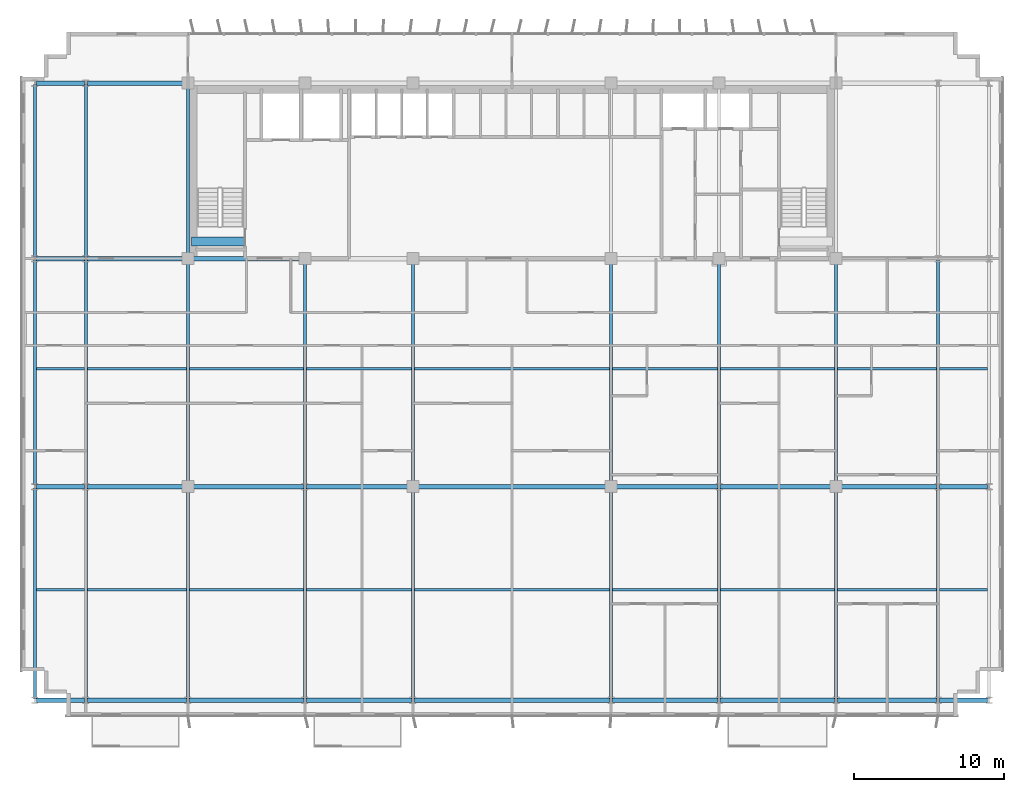
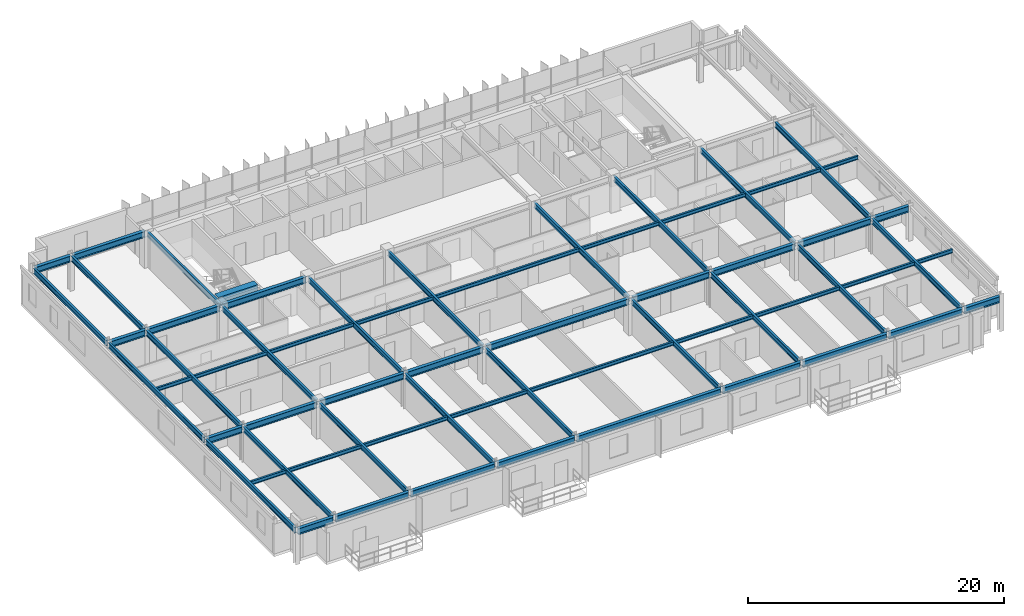
# One storey, part 4 of 21: 63 beams.
"""IFC4 building model written with IfcOpenShell, lengths in metres."""

from ifc_helpers import new_model, si_unit, direction, frame, origin, origin_2d, place, context, subcontext, project, spatial, rectangle, i_section, extrude, source, transform, mapped, material, material_profile, profile_set, type_object, element, save


model = new_model("IFC4")

# Units and contexts
model_context = context("Model", 3, precision=1e-05, world=origin(), true_north=direction((0.0, 1.0)))
body_context = subcontext(model_context, "Body", "Model", "MODEL_VIEW")
ifc_project = project(units=[si_unit("LENGTHUNIT", "METRE"), si_unit("AREAUNIT", "SQUARE_METRE"), si_unit("VOLUMEUNIT", "CUBIC_METRE"), si_unit("PLANEANGLEUNIT", "RADIAN"), si_unit("MASSUNIT", "GRAM", prefix="KILO")], contexts=[model_context])

# Site, building, storey
site_placement = place(None, origin())
site = spatial("IfcSite", under=ifc_project, at=site_placement, CompositionType="ELEMENT")
building_placement = place(site_placement, origin())
building = spatial("IfcBuilding", under=site, at=building_placement, Name="Trelvane Seafront Commons", CompositionType="ELEMENT")
storey_placement = place(building_placement, frame((0.0, 0.0, 103.300048828125)))
storey = spatial("IfcBuildingStorey", under=building, at=storey_placement, Name="L26", CompositionType="ELEMENT", Elevation=103.300048828125)

# Beams
ifc_material_1 = material(Name="Concrete C60/75", Category="concrete")
ifc_material_profile_1 = material_profile(ifc_material_1, rectangle(XDim=0.60009765625, YDim=0.89990234375, at=origin_2d()), Name="RC-600x900")
ifc_profile_set_1 = profile_set([ifc_material_profile_1], Name="Concrete C60/75")
beam_type_1 = type_object("IfcBeamType", Name="STR-LNT-RC600x900", PredefinedType="LINTEL", material=ifc_profile_set_1)
shared_shape_1 = source(origin(), body_context, "Body", "SweptSolid", [
    extrude(rectangle(XDim=0.60009765625, YDim=0.89990234375, at=origin_2d()), origin(), (0.0, 0.0, 1.0), 3.5498046875),
])
beam_1_placement = place(storey_placement, frame((15.85009765625, 34.550048828125, 2.889892578125), z_axis=(1.0, 0.0, 0.0), x_axis=(0.0, 1.0, 0.0)))
element("IfcBeam", 1, at=beam_1_placement, inside=storey, type_object=beam_type_1, Name="L26 Core Coupling Lintel Beam CB-85", PredefinedType="LINTEL", context=body_context, shape_type="MappedRepresentation", body=[
    mapped(shared_shape_1, transform((0.0, 0.0, 0.0), x_axis=(1.0, 0.0, 0.0), y_axis=(0.0, 1.0, 0.0), z_axis=(0.0, 0.0, 1.0), scale=1.0)),
])
ifc_material_2 = material(Name="Steel SM355 (S355)", Category="steel")
ifc_material_profile_2 = material_profile(ifc_material_2, i_section(OverallWidth=0.300048828125, OverallDepth=0.587890625, WebThickness=0.011962890625, FlangeThickness=0.02001953125, at=origin_2d()), Name="H-588x300x12x20")
ifc_profile_set_2 = profile_set([ifc_material_profile_2], Name="Steel SM355 (S355)")
beam_type_2 = type_object("IfcBeamType", Name="STR-BM-H588", PredefinedType="BEAM", material=ifc_profile_set_2)
shared_shape_2 = source(origin(), body_context, "Body", "SweptSolid", [
    extrude(i_section(OverallWidth=0.300048828125, OverallDepth=0.587890625, WebThickness=0.011962890625, FlangeThickness=0.02001953125, at=origin_2d()), origin(), (0.0, 0.0, 1.0), 7.550048828125),
])
beam_2_placement = place(storey_placement, frame((15.75, 18.199951171875, 3.0458984375), z_axis=(1.0, 0.0, 0.0), x_axis=(0.0, 1.0, 0.0)))
element("IfcBeam", 2, at=beam_2_placement, inside=storey, type_object=beam_type_2, Name="L26 Primary Girder G-12", PredefinedType="BEAM", context=body_context, shape_type="MappedRepresentation", body=[
    mapped(shared_shape_2, transform((0.0, 0.0, 0.0), x_axis=(1.0, 0.0, 0.0), y_axis=(0.0, 1.0, 0.0), z_axis=(0.0, 0.0, 1.0), scale=1.0)),
])
shared_shape_3 = source(origin(), body_context, "Body", "SweptSolid", [
    extrude(i_section(OverallWidth=0.300048828125, OverallDepth=0.587890625, WebThickness=0.011962890625, FlangeThickness=0.02001953125, at=origin_2d()), origin(), (0.0, 0.0, 1.0), 3.199951171875),
])
for number, where, z_axis, x_axis, name in (
    (3, (5.5, 3.949951171875, 3.0458984375), (1.0, 0.0, 0.0), (0.0, 1.0, 0.0), "L26 Primary Girder G-01"),
    (4, (65.699951171875, 3.949951171875, 3.0458984375), (1.0, 0.0, 0.0), (0.0, 1.0, 0.0), "L26 Primary Girder G-09"),
    (5, (5.5, 18.199951171875, 3.0458984375), (1.0, 0.0, 0.0), (0.0, 1.0, 0.0), "L26 Primary Girder G-10"),
    (6, (65.699951171875, 18.199951171875, 3.0458984375), (1.0, 0.0, 0.0), (0.0, 1.0, 0.0), "L26 Primary Girder G-18"),
    (7, (5.5, 33.39990234375, 3.0458984375), (1.0, 0.0, 0.0), (0.0, 1.0, 0.0), "L26 Primary Girder G-19"),
    (8, (5.5, 45.10009765625, 3.0458984375), (1.0, 0.0, 0.0), (0.0, 1.0, 0.0), "L26 Primary Girder G-28"),
):
    element("IfcBeam", number, at=place(storey_placement, frame(where, z_axis=z_axis, x_axis=x_axis)), inside=storey, type_object=beam_type_2, Name=name, PredefinedType="BEAM", context=body_context, shape_type="MappedRepresentation", body=[
        mapped(shared_shape_3, transform((0.0, 0.0, 0.0), x_axis=(1.0, 0.0, 0.0), y_axis=(0.0, 1.0, 0.0), z_axis=(0.0, 0.0, 1.0), scale=1.0)),
    ])
shared_shape_4 = source(origin(), body_context, "Body", "SweptSolid", [
    extrude(i_section(OverallWidth=0.300048828125, OverallDepth=0.587890625, WebThickness=0.011962890625, FlangeThickness=0.02001953125, at=origin_2d()), origin(), (0.0, 0.0, 1.0), 6.60009765625),
])
for number, where, z_axis, x_axis, name in (
    (9, (8.89990234375, 3.949951171875, 3.0458984375), (1.0, 0.0, 0.0), (0.0, 1.0, 0.0), "L26 Primary Girder G-02"),
    (10, (58.89990234375, 3.949951171875, 3.0458984375), (1.0, 0.0, 0.0), (0.0, 1.0, 0.0), "L26 Primary Girder G-08"),
):
    element("IfcBeam", number, at=place(storey_placement, frame(where, z_axis=z_axis, x_axis=x_axis)), inside=storey, type_object=beam_type_2, Name=name, PredefinedType="BEAM", context=body_context, shape_type="MappedRepresentation", body=[
        mapped(shared_shape_4, transform((0.0, 0.0, 0.0), x_axis=(1.0, 0.0, 0.0), y_axis=(0.0, 1.0, 0.0), z_axis=(0.0, 0.0, 1.0), scale=1.0)),
    ])
shared_shape_5 = source(origin(), body_context, "Body", "SweptSolid", [
    extrude(i_section(OverallWidth=0.300048828125, OverallDepth=0.587890625, WebThickness=0.011962890625, FlangeThickness=0.02001953125, at=origin_2d()), origin(), (0.0, 0.0, 1.0), 7.60009765625),
])
beam_3_placement = place(storey_placement, frame((15.699951171875, 3.949951171875, 3.0458984375), z_axis=(1.0, 0.0, 0.0), x_axis=(0.0, 1.0, 0.0)))
element("IfcBeam", 11, at=beam_3_placement, inside=storey, type_object=beam_type_2, Name="L26 Primary Girder G-03", PredefinedType="BEAM", context=body_context, shape_type="MappedRepresentation", body=[
    mapped(shared_shape_5, transform((0.0, 0.0, 0.0), x_axis=(1.0, 0.0, 0.0), y_axis=(0.0, 1.0, 0.0), z_axis=(0.0, 0.0, 1.0), scale=1.0)),
])
shared_shape_6 = source(origin(), body_context, "Body", "SweptSolid", [
    extrude(i_section(OverallWidth=0.300048828125, OverallDepth=0.587890625, WebThickness=0.011962890625, FlangeThickness=0.02001953125, at=origin_2d()), origin(), (0.0, 0.0, 1.0), 7.0),
])
for number, where, z_axis, x_axis, name in (
    (12, (23.5, 3.949951171875, 3.0458984375), (1.0, 0.0, 0.0), (0.0, 1.0, 0.0), "L26 Primary Girder G-04"),
    (13, (43.89990234375, 3.949951171875, 3.0458984375), (1.0, 0.0, 0.0), (0.0, 1.0, 0.0), "L26 Primary Girder G-06"),
):
    element("IfcBeam", number, at=place(storey_placement, frame(where, z_axis=z_axis, x_axis=x_axis)), inside=storey, type_object=beam_type_2, Name=name, PredefinedType="BEAM", context=body_context, shape_type="MappedRepresentation", body=[
        mapped(shared_shape_6, transform((0.0, 0.0, 0.0), x_axis=(1.0, 0.0, 0.0), y_axis=(0.0, 1.0, 0.0), z_axis=(0.0, 0.0, 1.0), scale=1.0)),
    ])
shared_shape_7 = source(origin(), body_context, "Body", "SweptSolid", [
    extrude(i_section(OverallWidth=0.300048828125, OverallDepth=0.587890625, WebThickness=0.011962890625, FlangeThickness=0.02001953125, at=origin_2d()), origin(), (0.0, 0.0, 1.0), 13.0),
])
beam_4_placement = place(storey_placement, frame((30.699951171875, 3.949951171875, 3.0458984375), z_axis=(1.0, 0.0, 0.0), x_axis=(0.0, 1.0, 0.0)))
element("IfcBeam", 14, at=beam_4_placement, inside=storey, type_object=beam_type_2, Name="L26 Primary Girder G-05", PredefinedType="BEAM", context=body_context, shape_type="MappedRepresentation", body=[
    mapped(shared_shape_7, transform((0.0, 0.0, 0.0), x_axis=(1.0, 0.0, 0.0), y_axis=(0.0, 1.0, 0.0), z_axis=(0.0, 0.0, 1.0), scale=1.0)),
])
shared_shape_8 = source(origin(), body_context, "Body", "SweptSolid", [
    extrude(i_section(OverallWidth=0.300048828125, OverallDepth=0.587890625, WebThickness=0.011962890625, FlangeThickness=0.02001953125, at=origin_2d()), origin(), (0.0, 0.0, 1.0), 7.599853515625),
])
beam_5_placement = place(storey_placement, frame((51.10009765625, 3.949951171875, 3.0458984375), z_axis=(1.0, 0.0, 0.0), x_axis=(0.0, 1.0, 0.0)))
element("IfcBeam", 15, at=beam_5_placement, inside=storey, type_object=beam_type_2, Name="L26 Primary Girder G-07", PredefinedType="BEAM", context=body_context, shape_type="MappedRepresentation", body=[
    mapped(shared_shape_8, transform((0.0, 0.0, 0.0), x_axis=(1.0, 0.0, 0.0), y_axis=(0.0, 1.0, 0.0), z_axis=(0.0, 0.0, 1.0), scale=1.0)),
])
shared_shape_9 = source(origin(), body_context, "Body", "SweptSolid", [
    extrude(i_section(OverallWidth=0.300048828125, OverallDepth=0.587890625, WebThickness=0.011962890625, FlangeThickness=0.02001953125, at=origin_2d()), origin(), (0.0, 0.0, 1.0), 6.550048828125),
])
for number, where, z_axis, x_axis, name in (
    (16, (8.89990234375, 18.199951171875, 3.0458984375), (1.0, 0.0, 0.0), (0.0, 1.0, 0.0), "L26 Primary Girder G-11"),
    (17, (58.949951171875, 18.199951171875, 3.0458984375), (1.0, 0.0, 0.0), (0.0, 1.0, 0.0), "L26 Primary Girder G-17"),
    (18, (8.89990234375, 33.39990234375, 3.0458984375), (1.0, 0.0, 0.0), (0.0, 1.0, 0.0), "L26 Primary Girder G-20"),
    (19, (8.89990234375, 45.10009765625, 3.0458984375), (1.0, 0.0, 0.0), (0.0, 1.0, 0.0), "L26 Primary Girder G-29"),
):
    element("IfcBeam", number, at=place(storey_placement, frame(where, z_axis=z_axis, x_axis=x_axis)), inside=storey, type_object=beam_type_2, Name=name, PredefinedType="BEAM", context=body_context, shape_type="MappedRepresentation", body=[
        mapped(shared_shape_9, transform((0.0, 0.0, 0.0), x_axis=(1.0, 0.0, 0.0), y_axis=(0.0, 1.0, 0.0), z_axis=(0.0, 0.0, 1.0), scale=1.0)),
    ])
shared_shape_10 = source(origin(), body_context, "Body", "SweptSolid", [
    extrude(i_section(OverallWidth=0.300048828125, OverallDepth=0.587890625, WebThickness=0.011962890625, FlangeThickness=0.02001953125, at=origin_2d()), origin(), (0.0, 0.0, 1.0), 6.949951171875),
])
for number, where, z_axis, x_axis, name in (
    (20, (23.5, 18.199951171875, 3.0458984375), (1.0, 0.0, 0.0), (0.0, 1.0, 0.0), "L26 Primary Girder G-13"),
    (21, (43.949951171875, 18.199951171875, 3.0458984375), (1.0, 0.0, 0.0), (0.0, 1.0, 0.0), "L26 Primary Girder G-15"),
):
    element("IfcBeam", number, at=place(storey_placement, frame(where, z_axis=z_axis, x_axis=x_axis)), inside=storey, type_object=beam_type_2, Name=name, PredefinedType="BEAM", context=body_context, shape_type="MappedRepresentation", body=[
        mapped(shared_shape_10, transform((0.0, 0.0, 0.0), x_axis=(1.0, 0.0, 0.0), y_axis=(0.0, 1.0, 0.0), z_axis=(0.0, 0.0, 1.0), scale=1.0)),
    ])
shared_shape_11 = source(origin(), body_context, "Body", "SweptSolid", [
    extrude(i_section(OverallWidth=0.300048828125, OverallDepth=0.587890625, WebThickness=0.011962890625, FlangeThickness=0.02001953125, at=origin_2d()), origin(), (0.0, 0.0, 1.0), 12.89990234375),
])
beam_6_placement = place(storey_placement, frame((30.75, 18.199951171875, 3.0458984375), z_axis=(1.0, 0.0, 0.0), x_axis=(0.0, 1.0, 0.0)))
element("IfcBeam", 22, at=beam_6_placement, inside=storey, type_object=beam_type_2, Name="L26 Primary Girder G-14", PredefinedType="BEAM", context=body_context, shape_type="MappedRepresentation", body=[
    mapped(shared_shape_11, transform((0.0, 0.0, 0.0), x_axis=(1.0, 0.0, 0.0), y_axis=(0.0, 1.0, 0.0), z_axis=(0.0, 0.0, 1.0), scale=1.0)),
])
shared_shape_12 = source(origin(), body_context, "Body", "SweptSolid", [
    extrude(i_section(OverallWidth=0.300048828125, OverallDepth=0.587890625, WebThickness=0.011962890625, FlangeThickness=0.02001953125, at=origin_2d()), origin(), (0.0, 0.0, 1.0), 7.5498046875),
])
beam_7_placement = place(storey_placement, frame((51.10009765625, 18.199951171875, 3.0458984375), z_axis=(1.0, 0.0, 0.0), x_axis=(0.0, 1.0, 0.0)))
element("IfcBeam", 23, at=beam_7_placement, inside=storey, type_object=beam_type_2, Name="L26 Primary Girder G-16", PredefinedType="BEAM", context=body_context, shape_type="MappedRepresentation", body=[
    mapped(shared_shape_12, transform((0.0, 0.0, 0.0), x_axis=(1.0, 0.0, 0.0), y_axis=(0.0, 1.0, 0.0), z_axis=(0.0, 0.0, 1.0), scale=1.0)),
])
shared_shape_13 = source(origin(), body_context, "Body", "SweptSolid", [
    extrude(i_section(OverallWidth=0.300048828125, OverallDepth=0.587890625, WebThickness=0.011962890625, FlangeThickness=0.02001953125, at=origin_2d()), origin(), (0.0, 0.0, 1.0), 7.5),
])
beam_8_placement = place(storey_placement, frame((15.75, 33.39990234375, 3.0458984375), z_axis=(1.0, 0.0, 0.0), x_axis=(0.0, 1.0, 0.0)))
element("IfcBeam", 24, at=beam_8_placement, inside=storey, type_object=beam_type_2, Name="L26 Primary Girder G-21", PredefinedType="BEAM", context=body_context, shape_type="MappedRepresentation", body=[
    mapped(shared_shape_13, transform((0.0, 0.0, 0.0), x_axis=(1.0, 0.0, 0.0), y_axis=(0.0, 1.0, 0.0), z_axis=(0.0, 0.0, 1.0), scale=1.0)),
])
ifc_material_profile_3 = material_profile(ifc_material_2, i_section(OverallWidth=0.199951171875, OverallDepth=0.5, WebThickness=0.010009765625, FlangeThickness=0.01611328125, at=origin_2d()), Name="H-500x200x10x16")
ifc_profile_set_3 = profile_set([ifc_material_profile_3], Name="Steel SM355 (S355)")
beam_type_3 = type_object("IfcBeamType", Name="STR-BM-H500", PredefinedType="BEAM", material=ifc_profile_set_3)
shared_shape_14 = source(origin(), body_context, "Body", "SweptSolid", [
    extrude(i_section(OverallWidth=0.199951171875, OverallDepth=0.5, WebThickness=0.010009765625, FlangeThickness=0.01611328125, at=origin_2d()), origin(), (0.0, 0.0, 1.0), 14.050048828125),
])
for number, where, z_axis, x_axis, name in (
    (25, (5.39990234375, 4.050048828125, 3.08984375), (0.0, 1.0, 0.0), (-1.0, 0.0, 0.0), "L26 Primary Girder G-37"),
    (26, (8.800048828125, 4.050048828125, 3.08984375), (0.0, 1.0, 0.0), (-1.0, 0.0, 0.0), "L26 Primary Girder G-40"),
    (27, (23.39990234375, 4.050048828125, 3.08984375), (0.0, 1.0, 0.0), (-1.0, 0.0, 0.0), "L26 Primary Girder G-46"),
    (28, (51.0, 4.050048828125, 3.08984375), (0.0, 1.0, 0.0), (-1.0, 0.0, 0.0), "L26 Primary Girder G-55"),
    (29, (65.60009765625, 4.050048828125, 3.08984375), (0.0, 1.0, 0.0), (-1.0, 0.0, 0.0), "L26 Primary Girder G-61"),
):
    element("IfcBeam", number, at=place(storey_placement, frame(where, z_axis=z_axis, x_axis=x_axis)), inside=storey, type_object=beam_type_3, Name=name, PredefinedType="BEAM", context=body_context, shape_type="MappedRepresentation", body=[
        mapped(shared_shape_14, transform((0.0, 0.0, 0.0), x_axis=(1.0, 0.0, 0.0), y_axis=(0.0, 1.0, 0.0), z_axis=(0.0, 0.0, 1.0), scale=1.0)),
    ])
shared_shape_15 = source(origin(), body_context, "Body", "SweptSolid", [
    extrude(i_section(OverallWidth=0.199951171875, OverallDepth=0.5, WebThickness=0.010009765625, FlangeThickness=0.01611328125, at=origin_2d()), origin(), (0.0, 0.0, 1.0), 15.0),
])
for number, where, z_axis, x_axis, name in (
    (30, (5.39990234375, 18.300048828125, 3.08984375), (0.0, 1.0, 0.0), (-1.0, 0.0, 0.0), "L26 Primary Girder G-38"),
    (31, (8.800048828125, 18.300048828125, 3.08984375), (0.0, 1.0, 0.0), (-1.0, 0.0, 0.0), "L26 Primary Girder G-41"),
    (32, (65.60009765625, 18.300048828125, 3.08984375), (0.0, 1.0, 0.0), (-1.0, 0.0, 0.0), "L26 Primary Girder G-62"),
):
    element("IfcBeam", number, at=place(storey_placement, frame(where, z_axis=z_axis, x_axis=x_axis)), inside=storey, type_object=beam_type_3, Name=name, PredefinedType="BEAM", context=body_context, shape_type="MappedRepresentation", body=[
        mapped(shared_shape_15, transform((0.0, 0.0, 0.0), x_axis=(1.0, 0.0, 0.0), y_axis=(0.0, 1.0, 0.0), z_axis=(0.0, 0.0, 1.0), scale=1.0)),
    ])
shared_shape_16 = source(origin(), body_context, "Body", "SweptSolid", [
    extrude(i_section(OverallWidth=0.199951171875, OverallDepth=0.5, WebThickness=0.010009765625, FlangeThickness=0.01611328125, at=origin_2d()), origin(), (0.0, 0.0, 1.0), 11.5),
])
for number, where, z_axis, x_axis, name in (
    (33, (5.39990234375, 33.5, 3.08984375), (0.0, 1.0, 0.0), (-1.0, 0.0, 0.0), "L26 Primary Girder G-39"),
    (34, (8.800048828125, 33.5, 3.08984375), (0.0, 1.0, 0.0), (-1.0, 0.0, 0.0), "L26 Primary Girder G-42"),
):
    element("IfcBeam", number, at=place(storey_placement, frame(where, z_axis=z_axis, x_axis=x_axis)), inside=storey, type_object=beam_type_3, Name=name, PredefinedType="BEAM", context=body_context, shape_type="MappedRepresentation", body=[
        mapped(shared_shape_16, transform((0.0, 0.0, 0.0), x_axis=(1.0, 0.0, 0.0), y_axis=(0.0, 1.0, 0.0), z_axis=(0.0, 0.0, 1.0), scale=1.0)),
    ])
shared_shape_17 = source(origin(), body_context, "Body", "SweptSolid", [
    extrude(i_section(OverallWidth=0.199951171875, OverallDepth=0.5, WebThickness=0.010009765625, FlangeThickness=0.01611328125, at=origin_2d()), origin(), (0.0, 0.0, 1.0), 14.0),
])
for number, where, z_axis, x_axis, name in (
    (35, (15.60009765625, 4.050048828125, 3.08984375), (0.0, 1.0, 0.0), (-1.0, 0.0, 0.0), "L26 Primary Girder G-43"),
    (36, (30.60009765625, 4.050048828125, 3.08984375), (0.0, 1.0, 0.0), (-1.0, 0.0, 0.0), "L26 Primary Girder G-49"),
    (37, (43.800048828125, 4.050048828125, 3.08984375), (0.0, 1.0, 0.0), (-1.0, 0.0, 0.0), "L26 Primary Girder G-52"),
    (38, (58.800048828125, 4.050048828125, 3.08984375), (0.0, 1.0, 0.0), (-1.0, 0.0, 0.0), "L26 Primary Girder G-58"),
):
    element("IfcBeam", number, at=place(storey_placement, frame(where, z_axis=z_axis, x_axis=x_axis)), inside=storey, type_object=beam_type_3, Name=name, PredefinedType="BEAM", context=body_context, shape_type="MappedRepresentation", body=[
        mapped(shared_shape_17, transform((0.0, 0.0, 0.0), x_axis=(1.0, 0.0, 0.0), y_axis=(0.0, 1.0, 0.0), z_axis=(0.0, 0.0, 1.0), scale=1.0)),
    ])
shared_shape_18 = source(origin(), body_context, "Body", "SweptSolid", [
    extrude(i_section(OverallWidth=0.199951171875, OverallDepth=0.5, WebThickness=0.010009765625, FlangeThickness=0.01611328125, at=origin_2d()), origin(), (0.0, 0.0, 1.0), 14.89990234375),
])
for number, where, z_axis, x_axis, name in (
    (39, (15.60009765625, 18.35009765625, 3.08984375), (0.0, 1.0, 0.0), (-1.0, 0.0, 0.0), "L26 Primary Girder G-44"),
    (40, (30.60009765625, 18.35009765625, 3.08984375), (0.0, 1.0, 0.0), (-1.0, 0.0, 0.0), "L26 Primary Girder G-50"),
    (41, (43.800048828125, 18.35009765625, 3.08984375), (0.0, 1.0, 0.0), (-1.0, 0.0, 0.0), "L26 Primary Girder G-53"),
    (42, (58.800048828125, 18.35009765625, 3.08984375), (0.0, 1.0, 0.0), (-1.0, 0.0, 0.0), "L26 Primary Girder G-59"),
):
    element("IfcBeam", number, at=place(storey_placement, frame(where, z_axis=z_axis, x_axis=x_axis)), inside=storey, type_object=beam_type_3, Name=name, PredefinedType="BEAM", context=body_context, shape_type="MappedRepresentation", body=[
        mapped(shared_shape_18, transform((0.0, 0.0, 0.0), x_axis=(1.0, 0.0, 0.0), y_axis=(0.0, 1.0, 0.0), z_axis=(0.0, 0.0, 1.0), scale=1.0)),
    ])
shared_shape_19 = source(origin(), body_context, "Body", "SweptSolid", [
    extrude(i_section(OverallWidth=0.199951171875, OverallDepth=0.5, WebThickness=0.010009765625, FlangeThickness=0.01611328125, at=origin_2d()), origin(), (0.0, 0.0, 1.0), 11.39990234375),
])
beam_9_placement = place(storey_placement, frame((15.60009765625, 33.550048828125, 3.08984375), z_axis=(0.0, 1.0, 0.0), x_axis=(-1.0, 0.0, 0.0)))
element("IfcBeam", 43, at=beam_9_placement, inside=storey, type_object=beam_type_3, Name="L26 Primary Girder G-45", PredefinedType="BEAM", context=body_context, shape_type="MappedRepresentation", body=[
    mapped(shared_shape_19, transform((0.0, 0.0, 0.0), x_axis=(1.0, 0.0, 0.0), y_axis=(0.0, 1.0, 0.0), z_axis=(0.0, 0.0, 1.0), scale=1.0)),
])
shared_shape_20 = source(origin(), body_context, "Body", "SweptSolid", [
    extrude(i_section(OverallWidth=0.199951171875, OverallDepth=0.5, WebThickness=0.010009765625, FlangeThickness=0.01611328125, at=origin_2d()), origin(), (0.0, 0.0, 1.0), 14.949951171875),
])
for number, where, z_axis, x_axis, name in (
    (44, (23.39990234375, 18.300048828125, 3.08984375), (0.0, 1.0, 0.0), (-1.0, 0.0, 0.0), "L26 Primary Girder G-47"),
    (45, (51.0, 18.300048828125, 3.08984375), (0.0, 1.0, 0.0), (-1.0, 0.0, 0.0), "L26 Primary Girder G-56"),
):
    element("IfcBeam", number, at=place(storey_placement, frame(where, z_axis=z_axis, x_axis=x_axis)), inside=storey, type_object=beam_type_3, Name=name, PredefinedType="BEAM", context=body_context, shape_type="MappedRepresentation", body=[
        mapped(shared_shape_20, transform((0.0, 0.0, 0.0), x_axis=(1.0, 0.0, 0.0), y_axis=(0.0, 1.0, 0.0), z_axis=(0.0, 0.0, 1.0), scale=1.0)),
    ])
ifc_material_profile_4 = material_profile(ifc_material_2, i_section(OverallWidth=0.175048828125, OverallDepth=0.35009765625, WebThickness=0.007080078125, FlangeThickness=0.010986328125, at=origin_2d()), Name="H-350x175x7x11")
ifc_profile_set_4 = profile_set([ifc_material_profile_4], Name="Steel SM355 (S355)")
beam_type_4 = type_object("IfcBeamType", Name="STR-JST-H350", PredefinedType="JOIST", material=ifc_profile_set_4)
shared_shape_21 = source(origin(), body_context, "Body", "SweptSolid", [
    extrude(i_section(OverallWidth=0.175048828125, OverallDepth=0.35009765625, WebThickness=0.007080078125, FlangeThickness=0.010986328125, at=origin_2d()), origin(), (0.0, 0.0, 1.0), 3.199951171875),
])
for number, where, z_axis, x_axis, name in (
    (46, (5.5, 11.324951171875, 3.1650390625), (1.0, 0.0, 0.0), (0.0, 1.0, 0.0), "L26 Secondary Floor Joist B-67"),
    (47, (65.699951171875, 11.324951171875, 3.1650390625), (1.0, 0.0, 0.0), (0.0, 1.0, 0.0), "L26 Secondary Floor Joist B-75"),
    (48, (5.5, 26.050048828125, 3.1650390625), (1.0, 0.0, 0.0), (0.0, 1.0, 0.0), "L26 Secondary Floor Joist B-76"),
    (49, (65.699951171875, 26.050048828125, 3.1650390625), (1.0, 0.0, 0.0), (0.0, 1.0, 0.0), "L26 Secondary Floor Joist B-84"),
):
    element("IfcBeam", number, at=place(storey_placement, frame(where, z_axis=z_axis, x_axis=x_axis)), inside=storey, type_object=beam_type_4, Name=name, PredefinedType="JOIST", context=body_context, shape_type="MappedRepresentation", body=[
        mapped(shared_shape_21, transform((0.0, 0.0, 0.0), x_axis=(1.0, 0.0, 0.0), y_axis=(0.0, 1.0, 0.0), z_axis=(0.0, 0.0, 1.0), scale=1.0)),
    ])
shared_shape_22 = source(origin(), body_context, "Body", "SweptSolid", [
    extrude(i_section(OverallWidth=0.175048828125, OverallDepth=0.35009765625, WebThickness=0.007080078125, FlangeThickness=0.010986328125, at=origin_2d()), origin(), (0.0, 0.0, 1.0), 6.60009765625),
])
for number, where, z_axis, x_axis, name in (
    (50, (8.89990234375, 11.324951171875, 3.1650390625), (1.0, 0.0, 0.0), (0.0, 1.0, 0.0), "L26 Secondary Floor Joist B-68"),
    (51, (58.89990234375, 11.324951171875, 3.1650390625), (1.0, 0.0, 0.0), (0.0, 1.0, 0.0), "L26 Secondary Floor Joist B-74"),
    (52, (8.89990234375, 26.050048828125, 3.1650390625), (1.0, 0.0, 0.0), (0.0, 1.0, 0.0), "L26 Secondary Floor Joist B-77"),
    (53, (58.89990234375, 26.050048828125, 3.1650390625), (1.0, 0.0, 0.0), (0.0, 1.0, 0.0), "L26 Secondary Floor Joist B-83"),
):
    element("IfcBeam", number, at=place(storey_placement, frame(where, z_axis=z_axis, x_axis=x_axis)), inside=storey, type_object=beam_type_4, Name=name, PredefinedType="JOIST", context=body_context, shape_type="MappedRepresentation", body=[
        mapped(shared_shape_22, transform((0.0, 0.0, 0.0), x_axis=(1.0, 0.0, 0.0), y_axis=(0.0, 1.0, 0.0), z_axis=(0.0, 0.0, 1.0), scale=1.0)),
    ])
shared_shape_23 = source(origin(), body_context, "Body", "SweptSolid", [
    extrude(i_section(OverallWidth=0.175048828125, OverallDepth=0.35009765625, WebThickness=0.007080078125, FlangeThickness=0.010986328125, at=origin_2d()), origin(), (0.0, 0.0, 1.0), 7.60009765625),
])
for number, where, z_axis, x_axis, name in (
    (54, (15.699951171875, 11.324951171875, 3.1650390625), (1.0, 0.0, 0.0), (0.0, 1.0, 0.0), "L26 Secondary Floor Joist B-69"),
    (55, (15.699951171875, 26.050048828125, 3.1650390625), (1.0, 0.0, 0.0), (0.0, 1.0, 0.0), "L26 Secondary Floor Joist B-78"),
):
    element("IfcBeam", number, at=place(storey_placement, frame(where, z_axis=z_axis, x_axis=x_axis)), inside=storey, type_object=beam_type_4, Name=name, PredefinedType="JOIST", context=body_context, shape_type="MappedRepresentation", body=[
        mapped(shared_shape_23, transform((0.0, 0.0, 0.0), x_axis=(1.0, 0.0, 0.0), y_axis=(0.0, 1.0, 0.0), z_axis=(0.0, 0.0, 1.0), scale=1.0)),
    ])
shared_shape_24 = source(origin(), body_context, "Body", "SweptSolid", [
    extrude(i_section(OverallWidth=0.175048828125, OverallDepth=0.35009765625, WebThickness=0.007080078125, FlangeThickness=0.010986328125, at=origin_2d()), origin(), (0.0, 0.0, 1.0), 7.0),
])
for number, where, z_axis, x_axis, name in (
    (56, (23.5, 11.324951171875, 3.1650390625), (1.0, 0.0, 0.0), (0.0, 1.0, 0.0), "L26 Secondary Floor Joist B-70"),
    (57, (43.89990234375, 11.324951171875, 3.1650390625), (1.0, 0.0, 0.0), (0.0, 1.0, 0.0), "L26 Secondary Floor Joist B-72"),
    (58, (23.5, 26.050048828125, 3.1650390625), (1.0, 0.0, 0.0), (0.0, 1.0, 0.0), "L26 Secondary Floor Joist B-79"),
    (59, (43.89990234375, 26.050048828125, 3.1650390625), (1.0, 0.0, 0.0), (0.0, 1.0, 0.0), "L26 Secondary Floor Joist B-81"),
):
    element("IfcBeam", number, at=place(storey_placement, frame(where, z_axis=z_axis, x_axis=x_axis)), inside=storey, type_object=beam_type_4, Name=name, PredefinedType="JOIST", context=body_context, shape_type="MappedRepresentation", body=[
        mapped(shared_shape_24, transform((0.0, 0.0, 0.0), x_axis=(1.0, 0.0, 0.0), y_axis=(0.0, 1.0, 0.0), z_axis=(0.0, 0.0, 1.0), scale=1.0)),
    ])
shared_shape_25 = source(origin(), body_context, "Body", "SweptSolid", [
    extrude(i_section(OverallWidth=0.175048828125, OverallDepth=0.35009765625, WebThickness=0.007080078125, FlangeThickness=0.010986328125, at=origin_2d()), origin(), (0.0, 0.0, 1.0), 13.0),
])
for number, where, z_axis, x_axis, name in (
    (60, (30.699951171875, 11.324951171875, 3.1650390625), (1.0, 0.0, 0.0), (0.0, 1.0, 0.0), "L26 Secondary Floor Joist B-71"),
    (61, (30.699951171875, 26.050048828125, 3.1650390625), (1.0, 0.0, 0.0), (0.0, 1.0, 0.0), "L26 Secondary Floor Joist B-80"),
):
    element("IfcBeam", number, at=place(storey_placement, frame(where, z_axis=z_axis, x_axis=x_axis)), inside=storey, type_object=beam_type_4, Name=name, PredefinedType="JOIST", context=body_context, shape_type="MappedRepresentation", body=[
        mapped(shared_shape_25, transform((0.0, 0.0, 0.0), x_axis=(1.0, 0.0, 0.0), y_axis=(0.0, 1.0, 0.0), z_axis=(0.0, 0.0, 1.0), scale=1.0)),
    ])
shared_shape_26 = source(origin(), body_context, "Body", "SweptSolid", [
    extrude(i_section(OverallWidth=0.175048828125, OverallDepth=0.35009765625, WebThickness=0.007080078125, FlangeThickness=0.010986328125, at=origin_2d()), origin(), (0.0, 0.0, 1.0), 7.599853515625),
])
for number, where, z_axis, x_axis, name in (
    (62, (51.10009765625, 11.324951171875, 3.1650390625), (1.0, 0.0, 0.0), (0.0, 1.0, 0.0), "L26 Secondary Floor Joist B-73"),
    (63, (51.10009765625, 26.050048828125, 3.1650390625), (1.0, 0.0, 0.0), (0.0, 1.0, 0.0), "L26 Secondary Floor Joist B-82"),
):
    element("IfcBeam", number, at=place(storey_placement, frame(where, z_axis=z_axis, x_axis=x_axis)), inside=storey, type_object=beam_type_4, Name=name, PredefinedType="JOIST", context=body_context, shape_type="MappedRepresentation", body=[
        mapped(shared_shape_26, transform((0.0, 0.0, 0.0), x_axis=(1.0, 0.0, 0.0), y_axis=(0.0, 1.0, 0.0), z_axis=(0.0, 0.0, 1.0), scale=1.0)),
    ])

save(model, "model.ifc")
